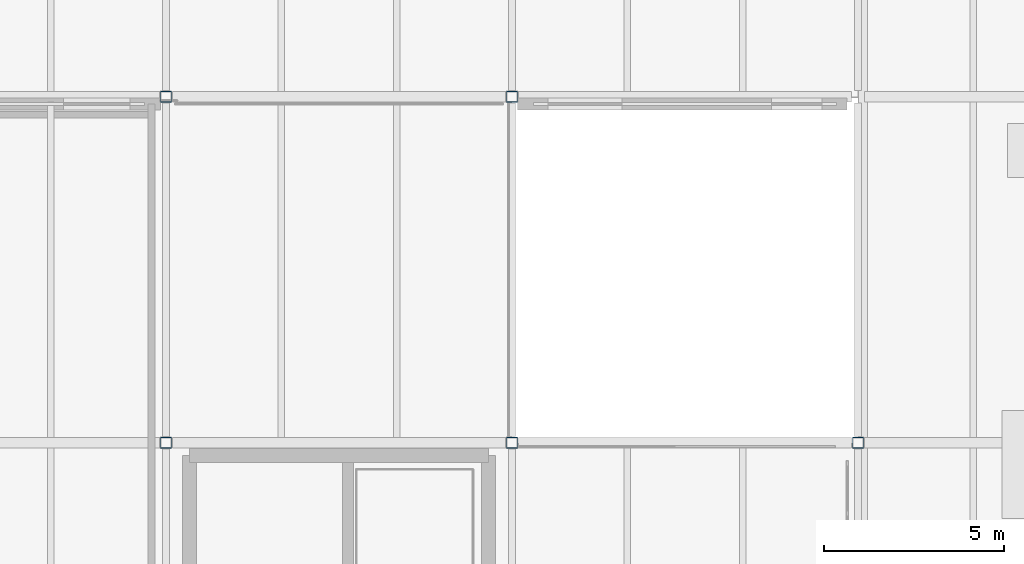
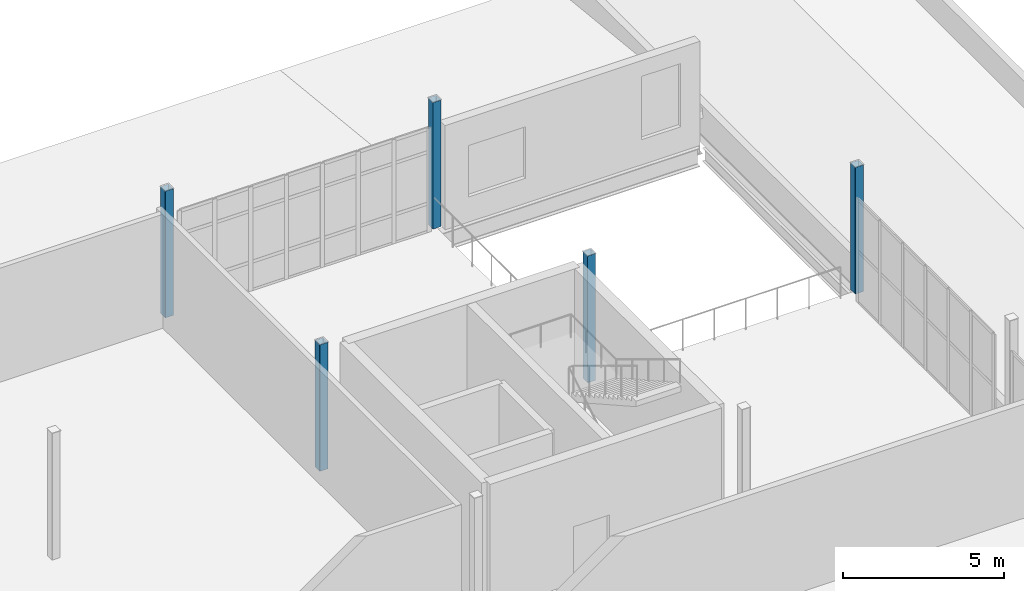
# One storey, part 12 of 112: 5 columns.
"""IFC4 building model written with IfcOpenShell, lengths in metres."""

from ifc_helpers import new_model, si_unit, direction, frame, origin, origin_2d, place, context, subcontext, project, spatial, hollow_rectangle, extrude, material, material_profile, profile_set, type_object, element, save


model = new_model("IFC4")

# Units and contexts
model_context = context("Model", 3, precision=1e-05, world=origin(), true_north=direction((0.0, 1.0)))
body_context = subcontext(model_context, "Body", "Model", "MODEL_VIEW")
ifc_project = project(units=[si_unit("LENGTHUNIT", "METRE"), si_unit("AREAUNIT", "SQUARE_METRE"), si_unit("VOLUMEUNIT", "CUBIC_METRE"), si_unit("PLANEANGLEUNIT", "RADIAN"), si_unit("MASSUNIT", "GRAM", prefix="KILO")], contexts=[model_context])

# Site, building, storey
site_placement = place(None, origin())
site = spatial("IfcSite", under=ifc_project, at=site_placement, CompositionType="ELEMENT")
building_placement = place(site_placement, origin())
building = spatial("IfcBuilding", under=site, at=building_placement, Name="Yeouljin Market Hall", CompositionType="ELEMENT")
storey_placement = place(building_placement, frame((0.0, 0.0, 6.0)))
storey = spatial("IfcBuildingStorey", under=building, at=storey_placement, Name="L01", CompositionType="ELEMENT", Elevation=6.0)

# Columns
ifc_material = material(Name="Steel SM355", Category="steel")
ifc_material_profile = material_profile(ifc_material, hollow_rectangle(XDim=0.300048828125, YDim=0.300048828125, WallThickness=0.010009765625, InnerFilletRadius=0.010009765625, OuterFilletRadius=0.01611328125, at=origin_2d()), Name="SHS-300x300x10")
ifc_profile_set = profile_set([ifc_material_profile], Name="Steel SM355")
column_type = type_object("IfcColumnType", Name="Col_SHS-300x300x10", PredefinedType="COLUMN", material=ifc_profile_set)
for number, where, z_axis, x_axis, name in (
    (1, (102.60009765625, 98.39990234375, 0.0), (0.0, 0.0, 1.0), (1.0, 0.0, 0.0), "Column G-12-10 (L01)"),
    (2, (102.60009765625, 108.0, 0.0), (0.0, 0.0, 1.0), (1.0, 0.0, 0.0), "Column G-12-11 (L01)"),
    (3, (112.199951171875, 98.39990234375, 0.0), (0.0, 0.0, 1.0), (1.0, 0.0, 0.0), "Column G-13-10 (L01)"),
    (4, (112.199951171875, 108.0, 0.0), (0.0, 0.0, 1.0), (1.0, 0.0, 0.0), "Column G-13-11 (L01)"),
    (5, (121.800048828125, 98.39990234375, 0.0), (0.0, 0.0, 1.0), (1.0, 0.0, 0.0), "Column G-14-10 (L01)"),
):
    element("IfcColumn", number, at=place(storey_placement, frame(where, z_axis=z_axis, x_axis=x_axis)), inside=storey, type_object=column_type, Name=name, PredefinedType="COLUMN", context=body_context, shape_type="SweptSolid", body=[
        extrude(hollow_rectangle(XDim=0.300048828125, YDim=0.300048828125, WallThickness=0.010009765625, InnerFilletRadius=0.010009765625, OuterFilletRadius=0.01611328125, at=origin_2d()), origin(), (0.0, 0.0, 1.0), 4.800048828125),
    ])

save(model, "model.ifc")
